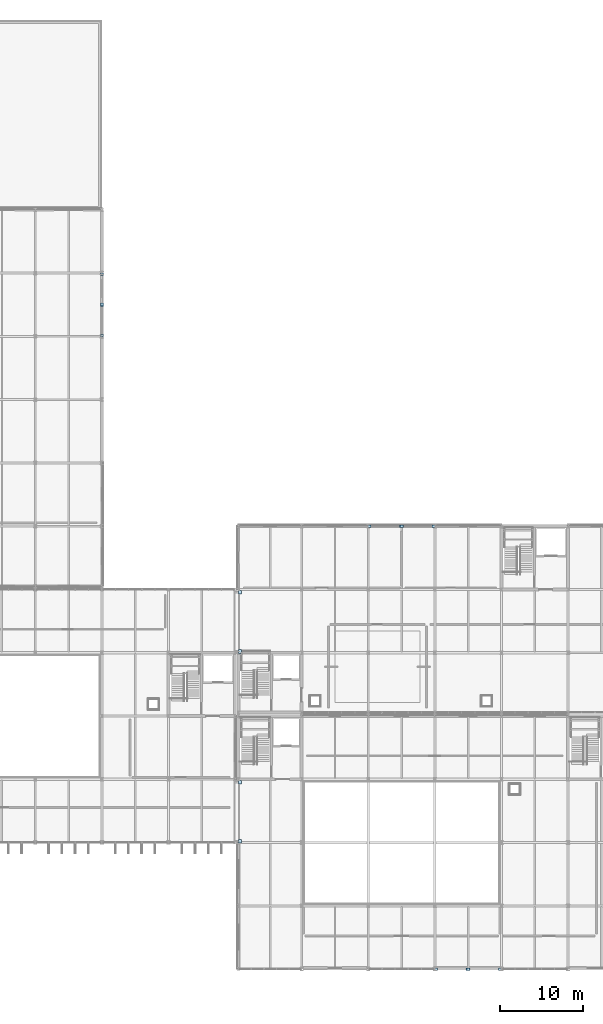
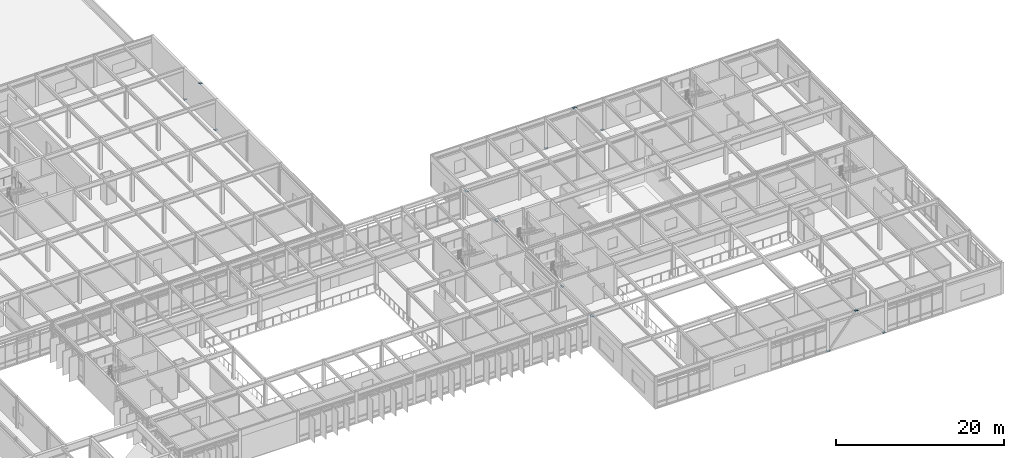
# One storey, part 78 of 104: 16 plates.
"""IFC4 building model written with IfcOpenShell, lengths in metres."""

from ifc_helpers import new_model, si_unit, direction, frame, origin, origin_2d, place, context, subcontext, project, spatial, rectangle, extrude, material, layer, layer_set, type_object, element, save


model = new_model("IFC4")

# Units and contexts
model_context = context("Model", 3, precision=1e-05, world=origin(), true_north=direction((0.0, 1.0)))
body_context = subcontext(model_context, "Body", "Model", "MODEL_VIEW")
ifc_project = project(units=[si_unit("LENGTHUNIT", "METRE"), si_unit("AREAUNIT", "SQUARE_METRE"), si_unit("VOLUMEUNIT", "CUBIC_METRE"), si_unit("PLANEANGLEUNIT", "RADIAN"), si_unit("MASSUNIT", "GRAM", prefix="KILO")], contexts=[model_context])

# Site, building, storey
site_placement = place(None, origin())
site = spatial("IfcSite", under=ifc_project, at=site_placement, CompositionType="ELEMENT")
building_placement = place(site_placement, origin())
building = spatial("IfcBuilding", under=site, at=building_placement, Name="Zulena Civic Courthouse", CompositionType="ELEMENT")
storey_placement = place(building_placement, frame((0.0, 0.0, 10.800048828125)))
storey = spatial("IfcBuildingStorey", under=building, at=storey_placement, Name="L02", CompositionType="ELEMENT", Elevation=10.800048828125)

# Plates
ifc_material = material(Name="Steel ASTM A572 Grade 50", Category="steel")
ifc_layer_1 = layer(ifc_material, 0.028076171875)
ifc_layer_set_1 = layer_set([ifc_layer_1], Name="Steel ASTM A572 Grade 50")
plate_type_1 = type_object("IfcPlateType", Name="BearingPlate_450x320x28", PredefinedType="SHEET", material=ifc_layer_set_1)
for number, where, z_axis, x_axis, name in (
    (1, (124.580078125, 15.35009765625, 4.02001953125), (0.0, 0.0, 1.0), (1.0, 0.0, 0.0), "plate:ptfe:BR-41:L03:15.35"),
    (2, (124.580078125, 22.449951171875, 4.02001953125), (0.0, 0.0, 1.0), (1.0, 0.0, 0.0), "plate:ptfe:BR-41:L03:22.45"),
    (3, (124.580078125, 38.14990234375, 4.02001953125), (0.0, 0.0, 1.0), (1.0, 0.0, 0.0), "plate:ptfe:BR-43:L03:38.15"),
    (4, (124.580078125, 45.25, 4.02001953125), (0.0, 0.0, 1.0), (1.0, 0.0, 0.0), "plate:ptfe:BR-43:L03:45.25"),
):
    element("IfcPlate", number, at=place(storey_placement, frame(where, z_axis=z_axis, x_axis=x_axis)), inside=storey, type_object=plate_type_1, Name=name, PredefinedType="SHEET", context=body_context, shape_type="SweptSolid", body=[
        extrude(rectangle(XDim=0.320068359375, YDim=0.449951171875, at=origin_2d()), origin(), (0.0, 0.0, 1.0), 0.028076171875),
    ])
ifc_layer_2 = layer(ifc_material, 0.02197265625)
ifc_layer_set_2 = layer_set([ifc_layer_2], Name="Steel ASTM A572 Grade 50")
plate_type_2 = type_object("IfcPlateType", Name="GussetPlate_380x280x22", PredefinedType="SHEET", material=ifc_layer_set_2)
for number, where, z_axis, x_axis, name in (
    (5, (148.14990234375, 0.0, -0.0009765625), (0.0, 0.0, 1.0), (1.0, 0.0, 0.0), "plate:br:V1:L02:2:0:0"),
    (6, (151.949951171875, 0.0, 4.549072265625), (0.0, 0.0, 1.0), (1.0, 0.0, 0.0), "plate:br:V1:L02:2:0:1"),
    (7, (155.85009765625, 0.0, -0.0009765625), (0.0, 0.0, 1.0), (1.0, 0.0, 0.0), "plate:br:V1:L02:2:1:0"),
    (8, (152.050048828125, 0.0, 4.549072265625), (0.0, 0.0, 1.0), (1.0, 0.0, 0.0), "plate:br:V1:L02:2:1:1"),
    (9, (140.14990234375, 53.199951171875, -0.0009765625), (0.0, 0.0, 1.0), (1.0, 0.0, 0.0), "plate:br:V3:L02:3:0:0"),
    (10, (143.949951171875, 53.199951171875, 4.549072265625), (0.0, 0.0, 1.0), (1.0, 0.0, 0.0), "plate:br:V3:L02:3:0:1"),
    (11, (147.85009765625, 53.199951171875, -0.0009765625), (0.0, 0.0, 1.0), (1.0, 0.0, 0.0), "plate:br:V3:L02:3:1:0"),
    (12, (144.050048828125, 53.199951171875, 4.549072265625), (0.0, 0.0, 1.0), (1.0, 0.0, 0.0), "plate:br:V3:L02:3:1:1"),
    (13, (108.0, 76.14990234375, -0.0009765625), (0.0, 0.0, 1.0), (1.0, 0.0, 0.0), "plate:br:V5:L02:6:0:0"),
    (14, (108.0, 79.75, 4.549072265625), (0.0, 0.0, 1.0), (1.0, 0.0, 0.0), "plate:br:V5:L02:6:0:1"),
    (15, (108.0, 83.449951171875, -0.0009765625), (0.0, 0.0, 1.0), (1.0, 0.0, 0.0), "plate:br:V5:L02:6:1:0"),
    (16, (108.0, 79.85009765625, 4.549072265625), (0.0, 0.0, 1.0), (1.0, 0.0, 0.0), "plate:br:V5:L02:6:1:1"),
):
    element("IfcPlate", number, at=place(storey_placement, frame(where, z_axis=z_axis, x_axis=x_axis)), inside=storey, type_object=plate_type_2, Name=name, PredefinedType="SHEET", context=body_context, shape_type="SweptSolid", body=[
        extrude(rectangle(XDim=0.3798828125, YDim=0.280029296875, at=origin_2d()), origin(), (0.0, 0.0, 1.0), 0.02197265625),
    ])

save(model, "model.ifc")
